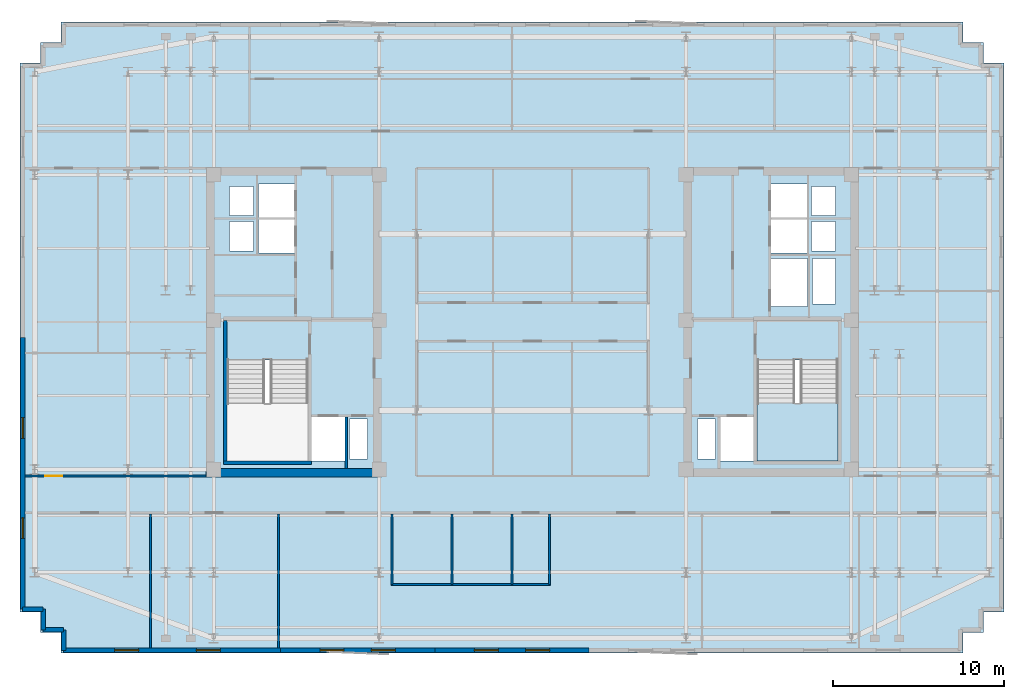
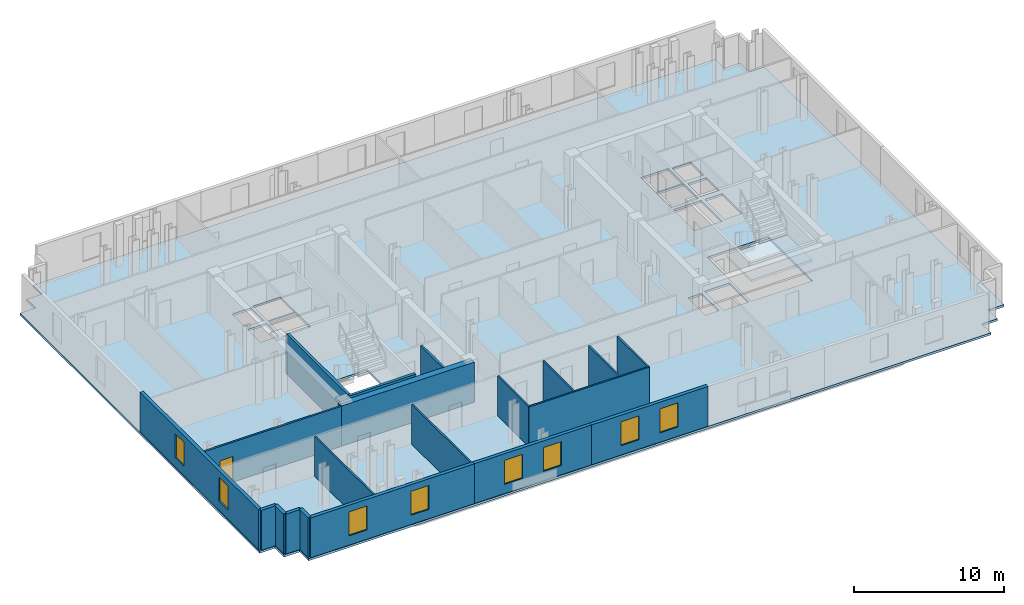
# One storey, part 3 of 9: 20 walls, 8 windows, 2 slabs, 1 door, 9 openings, 1 element without a shape of its own.
"""IFC4 building model written with IfcOpenShell, lengths in metres."""

import ifcopenshell
import ifcopenshell.guid

model = None  # the IFC model being written
_history = None  # IfcOwnerHistory: only IFC2X3 demands one
_inside = {}  # id of a spatial element -> (the spatial element, [elements in it])
_under = {}  # id of a project, library or spatial element -> (it, [spatial elements below it])
_declared = {}  # id of a project -> (the project, [libraries it declares])
_typed = {}  # id of a type object -> (the type object, [elements of that type])
_made_of = {}  # id of a material, layer set ... -> (it, [elements and type objects made of it])


def new_model(schema):
    """Start an empty IFC model of exactly this schema.

    Asked for "IFC4X3", IfcOpenShell would pick the latest addendum, in which some entities
    have other attributes; the version numbers below select the first issue.
    IFC2X3 requires an IfcOwnerHistory on every rooted entity: one is made here for all.
    """
    global model, _history
    if schema == "IFC4X3":
        model = ifcopenshell.file(schema_version=(4, 3, 0, 0))
    else:
        model = ifcopenshell.file(schema=schema)
    _inside.clear()
    _under.clear()
    _declared.clear()
    _typed.clear()
    _made_of.clear()
    _history = None
    if model.schema == "IFC2X3":
        org = make("IfcOrganization", Name="unknown")
        user = make(
            "IfcPersonAndOrganization",
            ThePerson=make("IfcPerson", FamilyName="unknown"),
            TheOrganization=org,
        )
        app = make(
            "IfcApplication",
            ApplicationDeveloper=org,
            Version="unknown",
            ApplicationFullName="unknown",
            ApplicationIdentifier="unknown",
        )
        _history = make(
            "IfcOwnerHistory",
            OwningUser=user,
            OwningApplication=app,
            ChangeAction="ADDED",
            CreationDate=0,
        )
    return model


def make(cls, **values):
    """One entity of the class cls with the attributes given. An attribute that is None is left unset."""
    return model.create_entity(
        cls, **{name: value for name, value in values.items() if value is not None}
    )


def rooted(cls, **values):
    """An entity with a GlobalId (a new one), such as an element, a storey or a relation."""
    return make(cls, GlobalId=ifcopenshell.guid.new(), OwnerHistory=_history, **values)


def si_unit(unit_type, name, prefix=None):
    """IfcSIUnit, for example si_unit("LENGTHUNIT", "METRE", prefix="MILLI")."""
    return make("IfcSIUnit", UnitType=unit_type, Prefix=prefix, Name=name)


def assignment(units):
    """IfcUnitAssignment: the units of a project."""
    return None if units is None else make("IfcUnitAssignment", Units=units)


def point(xyz):
    """IfcCartesianPoint."""
    return None if xyz is None else make("IfcCartesianPoint", Coordinates=xyz)


def direction(xyz):
    """IfcDirection."""
    return None if xyz is None else make("IfcDirection", DirectionRatios=xyz)


def frame(location, z_axis=None, x_axis=None):
    """IfcAxis2Placement3D, a coordinate frame: its origin and axes. An axis left out is left unset."""
    return make(
        "IfcAxis2Placement3D",
        Location=point(location),
        Axis=direction(z_axis),
        RefDirection=direction(x_axis),
    )


def frame_2d(location, x_axis=None):
    """IfcAxis2Placement2D, a coordinate frame in the plane: its origin and x axis."""
    return make(
        "IfcAxis2Placement2D", Location=point(location), RefDirection=direction(x_axis)
    )


def origin():
    """The frame at (0, 0, 0) with its axes left unset."""
    return frame((0.0, 0.0, 0.0))


def place(relative_to, where):
    """IfcLocalPlacement: puts the frame where relative to a parent placement (None: the world)."""
    return make(
        "IfcLocalPlacement", PlacementRelTo=relative_to, RelativePlacement=where
    )


def context(
    kind, dimensions, precision=None, world=None, true_north=None, identifier=None
):
    """IfcGeometricRepresentationContext, for example the 3D "Model" context."""
    return make(
        "IfcGeometricRepresentationContext",
        ContextIdentifier=identifier,
        ContextType=kind,
        CoordinateSpaceDimension=dimensions,
        Precision=precision,
        WorldCoordinateSystem=world,
        TrueNorth=true_north,
    )


def subcontext(parent, identifier, kind, view, scale=None):
    """IfcGeometricRepresentationSubContext, for example "Body" below "Model"."""
    return make(
        "IfcGeometricRepresentationSubContext",
        ContextIdentifier=identifier,
        ContextType=kind,
        ParentContext=parent,
        TargetScale=scale,
        TargetView=view,
    )


def project(units=None, contexts=None):
    """IfcProject with its units and contexts."""
    return rooted(
        "IfcProject",
        Name="project",
        RepresentationContexts=contexts,
        UnitsInContext=assignment(units),
    )


def spatial(cls, under=None, at=None, **own):
    """A site, building, storey or space (cls), placed at a placement, below another one or the project."""
    s = rooted(cls, ObjectPlacement=at, **own)
    if under is not None:
        _under.setdefault(under.id(), (under, []))[1].append(s)
    return s


def polyline(points):
    """IfcPolyline through the points."""
    return make("IfcPolyline", Points=[point(p) for p in points])


def profile(cls, at=None, kind="AREA", **sizes):
    """A parametric profile (cls). Its sizes go by their IFC names, for example OverallWidth=200.0."""
    return make(cls, ProfileType=kind, Position=at, **sizes)


def rectangle(**sizes):
    """IfcRectangleProfileDef."""
    return profile("IfcRectangleProfileDef", **sizes)


def outline(outer, holes=None, kind="AREA"):
    """IfcArbitraryClosedProfileDef: a profile drawn as a closed curve; with holes, ...WithVoids."""
    if holes is None:
        return make("IfcArbitraryClosedProfileDef", ProfileType=kind, OuterCurve=outer)
    return make(
        "IfcArbitraryProfileDefWithVoids",
        ProfileType=kind,
        OuterCurve=outer,
        InnerCurves=holes,
    )


def extrude(swept, where, along, depth):
    """IfcExtrudedAreaSolid: the profile swept, set in the frame where, extruded along a direction by depth."""
    return make(
        "IfcExtrudedAreaSolid",
        SweptArea=swept,
        Position=where,
        ExtrudedDirection=direction(along),
        Depth=depth,
    )


def shape(context_of_items, identifier, shape_type, items):
    """IfcShapeRepresentation: the items that make up one representation, for example the "Body"."""
    return make(
        "IfcShapeRepresentation",
        ContextOfItems=context_of_items,
        RepresentationIdentifier=identifier,
        RepresentationType=shape_type,
        Items=items,
    )


def material(Name=None, Category=None):
    """IfcMaterial."""
    return make("IfcMaterial", Name=Name, Category=Category)


def layer(
    of_material, thickness, ventilated=None, Name=None, Category=None, Priority=None
):
    """IfcMaterialLayer: one layer of a wall or slab, of a material (None: an air gap)."""
    return make(
        "IfcMaterialLayer",
        Material=of_material,
        LayerThickness=thickness,
        IsVentilated=ventilated,
        Name=Name,
        Category=Category,
        Priority=Priority,
    )


def layer_set(layers, Name=None):
    """IfcMaterialLayerSet."""
    return make("IfcMaterialLayerSet", MaterialLayers=layers, LayerSetName=Name)


def made_of(thing, what):
    """Note that an element or type object is made of a material, layer set ...; save() writes the relation."""
    if what is not None:
        _made_of.setdefault(what.id(), (what, []))[1].append(thing)
    return thing


def type_object(cls, material=None, **own):
    """A type object (cls), such as IfcWallType, which elements share."""
    return made_of(rooted(cls, **own), material)


def element(
    cls,
    number,
    at=None,
    inside=None,
    cuts=None,
    type_object=None,
    material=None,
    context=None,
    identifier="Body",
    shape_type=None,
    held_by="IfcProductDefinitionShape",
    body=None,
    shapes=None,
    **own,
):
    """One element of the class cls, such as IfcWall. Its Tag is "e" and its number.

    at: its placement. inside: the storey or other place that contains it. cuts: it is an
    opening in that element (IfcRelVoidsElement). A single representation is given by context,
    identifier, shape_type and body (its items); several are given by shapes. held_by: the class
    of the entity that holds the representations. save() writes the other relations.
    """
    e = rooted(cls, Tag="e%d" % number, ObjectPlacement=at, **own)
    if body is not None:
        shapes = [shape(context, identifier, shape_type, body)]
    if shapes is not None:
        e.Representation = make(held_by, Representations=shapes)
    if inside is not None:
        _inside.setdefault(inside.id(), (inside, []))[1].append(e)
    if cuts is not None:
        rooted(
            "IfcRelVoidsElement", RelatingBuildingElement=cuts, RelatedOpeningElement=e
        )
    if type_object is not None:
        _typed.setdefault(type_object.id(), (type_object, []))[1].append(e)
    return made_of(e, material)


def fill(opening, filler):
    """IfcRelFillsElement: the door or window that sits in an opening."""
    return rooted(
        "IfcRelFillsElement",
        RelatingOpeningElement=opening,
        RelatedBuildingElement=filler,
    )


def aggregate(whole, parts):
    """IfcRelAggregates: a whole, such as a stair, and the parts it consists of."""
    return rooted("IfcRelAggregates", RelatingObject=whole, RelatedObjects=parts)


def save(model, path):
    """Write the relations noted so far, then the file.

    IfcRelAggregates (storeys below a building ...), IfcRelContainedInSpatialStructure (elements
    in a storey), IfcRelDefinesByType, IfcRelAssociatesMaterial and IfcRelDeclares: one each for
    every whole, place, type object, material and project.
    """
    for whole, parts in _under.values():
        aggregate(whole, parts)
    for where, things in _inside.values():
        rooted(
            "IfcRelContainedInSpatialStructure",
            RelatedElements=things,
            RelatingStructure=where,
        )
    for kind, things in _typed.values():
        rooted("IfcRelDefinesByType", RelatedObjects=things, RelatingType=kind)
    for what, things in _made_of.values():
        rooted("IfcRelAssociatesMaterial", RelatedObjects=things, RelatingMaterial=what)
    for by, libraries in _declared.values():
        rooted("IfcRelDeclares", RelatingContext=by, RelatedDefinitions=libraries)
    model.write(path)


model = new_model("IFC4")

# Units and contexts
model_context = context("Model", 3, precision=1e-05, world=origin(), true_north=direction((0.0, 1.0)))
body_context = subcontext(model_context, "Body", "Model", "MODEL_VIEW")
ifc_project = project(units=[si_unit("LENGTHUNIT", "METRE"), si_unit("AREAUNIT", "SQUARE_METRE"), si_unit("VOLUMEUNIT", "CUBIC_METRE"), si_unit("PLANEANGLEUNIT", "RADIAN"), si_unit("MASSUNIT", "GRAM", prefix="KILO")], contexts=[model_context])

# Site, building, storey
site_placement = place(None, origin())
site = spatial("IfcSite", under=ifc_project, at=site_placement, CompositionType="ELEMENT")
building_placement = place(site_placement, origin())
building = spatial("IfcBuilding", under=site, at=building_placement, Name="Velakula Bourse", CompositionType="ELEMENT")
storey_placement = place(building_placement, frame((0.0, 0.0, 229.199951171875)))
storey = spatial("IfcBuildingStorey", under=building, at=storey_placement, Name="L62", CompositionType="ELEMENT", Elevation=229.199951171875)

# Stair, slab
ifc_material_1 = material(Name="Concrete M45 (fck 45 MPa)", Category="concrete")
stair_type = type_object("IfcStairType", Name="STR-DOG-390", PredefinedType="HALF_TURN_STAIR", material=ifc_material_1)
stair_placement = place(storey_placement, origin())
stair = element("IfcStair", 1, at=stair_placement, inside=storey, type_object=stair_type, Name="L62 East Core Exit Stair ST-E1", PredefinedType="HALF_TURN_STAIR")
ifc_layer_1 = layer(ifc_material_1, 0.199951171875, Name="Concrete M45 (fck 45 MPa)", Category="concrete")
ifc_layer_set_1 = layer_set([ifc_layer_1], Name="Concrete M45 (fck 45 MPa)")
slab_type_1 = type_object("IfcSlabType", Name="SLB-STAIR-LND-200", PredefinedType="LANDING", material=ifc_layer_set_1)
slab_1_placement = place(storey_placement, frame((0.0, 0.0, 1.525146484375)))
slab_1 = element("IfcSlab", 2, at=slab_1_placement, type_object=slab_type_1, Name="ST-E1 landing 1", PredefinedType="LANDING", context=body_context, shape_type="SweptSolid", body=[
    extrude(outline(polyline([(13.10009765625, -4.719970703125), (13.10009765625, -8.10009765625), (17.820068359375, -8.10009765625), (17.820068359375, -4.719970703125), (13.10009765625, -4.719970703125)])), origin(), (0.0, 0.0, 1.0), 0.199951171875),
])
aggregate(stair, [slab_1])

# Slab
ifc_material_2 = material(Name="Concrete M50 (fck 50 MPa)", Category="concrete")
ifc_layer_2 = layer(ifc_material_2, 0.179931640625, Name="Concrete M50 (fck 50 MPa)", Category="concrete")
ifc_layer_set_2 = layer_set([ifc_layer_2], Name="Concrete M50 (fck 50 MPa)")
slab_type_2 = type_object("IfcSlabType", Name="SLB-TWR-180", PredefinedType="FLOOR", material=ifc_layer_set_2)
slab_2_placement = place(storey_placement, frame((0.0, 0.0, -0.179931640625)))
element("IfcSlab", 3, at=slab_2_placement, inside=storey, type_object=slab_type_2, Name="L62 Suspended Structural Floor Slab", PredefinedType="FLOOR", context=body_context, shape_type="SweptSolid", body=[
    extrude(outline(polyline([(-27.5, -19.300048828125), (25.10009765625, -19.300048828125), (25.10009765625, -18.10009765625), (26.300048828125, -18.10009765625), (26.300048828125, -16.89990234375), (27.5, -16.89990234375), (27.5, 15.10009765625), (26.300048828125, 15.10009765625), (26.300048828125, 16.300048828125), (25.10009765625, 16.300048828125), (25.10009765625, 17.5), (-27.5, 17.5), (-27.5, 16.300048828125), (-28.699951171875, 16.300048828125), (-28.699951171875, 15.10009765625), (-29.89990234375, 15.10009765625), (-29.89990234375, -16.89990234375), (-28.699951171875, -16.89990234375), (-28.699951171875, -18.10009765625), (-27.5, -18.10009765625), (-27.5, -19.300048828125)]), holes=[polyline([(-17.820068359375, -8.10009765625), (-13.10009765625, -8.10009765625), (-13.10009765625, -2.199951171875), (-17.820068359375, -2.199951171875), (-17.820068359375, -8.10009765625)]), polyline([(13.10009765625, -8.10009765625), (17.820068359375, -8.10009765625), (17.820068359375, -2.199951171875), (13.10009765625, -2.199951171875), (13.10009765625, -8.10009765625)]), polyline([(-12.89990234375, -8.10009765625), (-10.949951171875, -8.10009765625), (-10.949951171875, -5.550048828125), (-12.89990234375, -5.550048828125), (-12.89990234375, -8.10009765625)]), polyline([(10.949951171875, -8.10009765625), (12.89990234375, -8.10009765625), (12.89990234375, -5.550048828125), (10.949951171875, -5.550048828125), (10.949951171875, -8.10009765625)]), polyline([(13.89990234375, 0.919921875), (16.050048828125, 0.919921875), (16.050048828125, 3.719970703125), (13.89990234375, 3.719970703125), (13.89990234375, 0.919921875)]), polyline([(-10.679931640625, -7.97998046875), (-9.6201171875, -7.97998046875), (-9.6201171875, -5.669921875), (-10.679931640625, -5.669921875), (-10.679931640625, -7.97998046875)]), polyline([(-17.679931640625, 4.139892578125), (-16.27001953125, 4.139892578125), (-16.27001953125, 5.85009765625), (-17.679931640625, 5.85009765625), (-17.679931640625, 4.139892578125)]), polyline([(-17.679931640625, 6.2099609375), (-16.27001953125, 6.2099609375), (-16.27001953125, 7.919921875), (-17.679931640625, 7.919921875), (-17.679931640625, 6.2099609375)]), polyline([(9.6201171875, -7.97998046875), (10.679931640625, -7.97998046875), (10.679931640625, -5.669921875), (9.6201171875, -5.669921875), (9.6201171875, -7.97998046875)]), polyline([(16.27001953125, 4.139892578125), (17.679931640625, 4.139892578125), (17.679931640625, 5.85009765625), (16.27001953125, 5.85009765625), (16.27001953125, 4.139892578125)]), polyline([(16.27001953125, 6.2099609375), (17.679931640625, 6.2099609375), (17.679931640625, 7.919921875), (16.27001953125, 7.919921875), (16.27001953125, 6.2099609375)]), polyline([(16.320068359375, 1.0400390625), (17.679931640625, 1.0400390625), (17.679931640625, 3.699951171875), (16.320068359375, 3.699951171875), (16.320068359375, 1.0400390625)]), polyline([(-16.0, 4.02001953125), (-13.89990234375, 4.02001953125), (-13.89990234375, 5.969970703125), (-16.0, 5.969970703125), (-16.0, 4.02001953125)]), polyline([(-16.0, 6.090087890625), (-13.89990234375, 6.090087890625), (-13.89990234375, 8.0400390625), (-16.0, 8.0400390625), (-16.0, 6.090087890625)]), polyline([(13.89990234375, 4.02001953125), (16.0, 4.02001953125), (16.0, 5.969970703125), (13.89990234375, 5.969970703125), (13.89990234375, 4.02001953125)]), polyline([(13.89990234375, 6.090087890625), (16.0, 6.090087890625), (16.0, 8.0400390625), (13.89990234375, 8.0400390625), (13.89990234375, 6.090087890625)])]), origin(), (0.0, 0.0, 1.0), 0.179931640625),
])

# Walls
ifc_layer_3 = layer(ifc_material_2, 0.2099609375, Name="Concrete M50 (fck 50 MPa)", Category="concrete")
ifc_layer_set_3 = layer_set([ifc_layer_3], Name="Concrete M50 (fck 50 MPa)")
wall_type_1 = type_object("IfcWallType", Name="WL-CORE-210", PredefinedType="SHEAR", material=ifc_layer_set_3)
wall_1_placement = place(storey_placement, frame((-17.925048828125, -8.10009765625, 0.0), z_axis=(0.0, 0.0, 1.0), x_axis=(0.0, 1.0, 0.0)))
element("IfcWall", 4, at=wall_1_placement, inside=storey, type_object=wall_type_1, Name="L62 Core W Stairwell Shear Wall OUT", PredefinedType="SHEAR", context=body_context, shape_type="SweptSolid", body=[
    extrude(rectangle(XDim=8.2001953125, YDim=0.2099609375, at=frame_2d((4.10009765625, 0.0))), origin(), (0.0, 0.0, 1.0), 3.27001953125),
])
wall_2_placement = place(storey_placement, frame((-18.030029296875, -8.205078125, 0.0), z_axis=(0.0, 0.0, 1.0), x_axis=(1.0, 0.0, 0.0)))
element("IfcWall", 5, at=wall_2_placement, inside=storey, type_object=wall_type_1, Name="L62 Core W Stairwell Shear Wall S", PredefinedType="SHEAR", context=body_context, shape_type="SweptSolid", body=[
    extrude(rectangle(XDim=5.14013671875, YDim=0.2099609375, at=frame_2d((2.570068359375, 0.0))), origin(), (0.0, 0.0, 1.0), 3.27001953125),
])
ifc_layer_4 = layer(ifc_material_2, 0.5, Name="Concrete M50 (fck 50 MPa)", Category="concrete")
ifc_layer_set_4 = layer_set([ifc_layer_4], Name="Concrete M50 (fck 50 MPa)")
wall_type_2 = type_object("IfcWallType", Name="WL-CORE-500", PredefinedType="SHEAR", material=ifc_layer_set_4)
wall_3_placement = place(storey_placement, frame((-19.050048828125, -8.800048828125, 0.0), z_axis=(0.0, 0.0, 1.0), x_axis=(1.0, 0.0, 0.0)))
element("IfcWall", 6, at=wall_3_placement, inside=storey, type_object=wall_type_2, Name="L62 Core W Shear Wall S", PredefinedType="SHEAR", context=body_context, shape_type="SweptSolid", body=[
    extrude(rectangle(XDim=10.25, YDim=0.5, at=frame_2d((5.125, 0.0))), origin(), (0.0, 0.0, 1.0), 3.27001953125),
])

# Wall, openings, windows
ifc_material_3 = material(Name="Buff kilned clay facing brick masonry", Category="masonry")
ifc_layer_5 = layer(ifc_material_3, 0.260009765625, Name="Buff kilned clay facing brick masonry", Category="masonry")
ifc_layer_set_5 = layer_set([ifc_layer_5], Name="Buff kilned clay facing brick masonry")
wall_type_3 = type_object("IfcWallType", Name="WL-EXT-BRK-260", PredefinedType="STANDARD", material=ifc_layer_set_5)
wall_4_placement = place(storey_placement, frame((-14.699951171875, -19.14990234375, 0.0), z_axis=(0.0, 0.0, 1.0), x_axis=(-1.0, 0.0, 0.0)))
wall_4 = element("IfcWall", 7, at=wall_4_placement, inside=storey, type_object=wall_type_3, Name="L62 S Brick Spandrel Wall B1", PredefinedType="STANDARD", context=body_context, shape_type="SweptSolid", body=[
    extrude(rectangle(XDim=12.650146484375, YDim=0.260009765625, at=frame_2d((6.3251953125, 0.0))), origin(), (0.0, 0.0, 1.0), 3.25),
])
opening_1_placement = place(wall_4_placement, frame((3.5166015625, 0.0, 0.760009765625)))
opening_1 = element("IfcOpeningElement", 8, at=opening_1_placement, cuts=wall_4, Name="Opening W-03", PredefinedType="OPENING", context=body_context, shape_type="SweptSolid", body=[
    extrude(rectangle(XDim=1.39990234375, YDim=1.949951171875, at=frame_2d((0.699951171875, 0.97509765625))), frame((0.0, 0.139892578125, 0.0), z_axis=(0.0, -1.0, 0.0), x_axis=(1.0, 0.0, 0.0)), (0.0, 0.0, 1.0), 0.280029296875),
])
opening_2_placement = place(wall_4_placement, frame((8.283203125, 0.0, 0.760009765625)))
opening_2 = element("IfcOpeningElement", 9, at=opening_2_placement, cuts=wall_4, Name="Opening W-03", PredefinedType="OPENING", context=body_context, shape_type="SweptSolid", body=[
    extrude(rectangle(XDim=1.39990234375, YDim=1.949951171875, at=frame_2d((0.699951171875, 0.97509765625))), frame((0.0, 0.139892578125, 0.0), z_axis=(0.0, -1.0, 0.0), x_axis=(1.0, 0.0, 0.0)), (0.0, 0.0, 1.0), 0.280029296875),
])
ifc_material_4 = material(Name="Double-glazed solar-control Low-E glass", Category="glass")
window_type_1 = type_object("IfcWindowType", Name="WIN-TWR-1400x2100", PartitioningType="SINGLE_PANEL", PredefinedType="WINDOW", material=ifc_material_4)
window_1_placement = place(opening_1_placement, origin())
window_1 = element("IfcWindow", 10, at=window_1_placement, inside=storey, type_object=window_type_1, Name="L62 Deep-Set Recessed Window 1", OverallHeight=1.949951171875, OverallWidth=1.39990234375, PartitioningType="SINGLE_PANEL", PredefinedType="WINDOW", context=body_context, shape_type="SweptSolid", body=[
    extrude(rectangle(XDim=1.39990234375, YDim=1.949951171875, at=frame_2d((0.699951171875, 0.97509765625))), frame((0.0, 0.030029296875, 0.0), z_axis=(0.0, -1.0, 0.0), x_axis=(1.0, 0.0, 0.0)), (0.0, 0.0, 1.0), 0.06005859375),
])
fill(opening_1, window_1)
window_2_placement = place(opening_2_placement, origin())
window_2 = element("IfcWindow", 11, at=window_2_placement, inside=storey, type_object=window_type_1, Name="L62 Deep-Set Recessed Window 2", OverallHeight=1.949951171875, OverallWidth=1.39990234375, PartitioningType="SINGLE_PANEL", PredefinedType="WINDOW", context=body_context, shape_type="SweptSolid", body=[
    extrude(rectangle(XDim=1.39990234375, YDim=1.949951171875, at=frame_2d((0.699951171875, 0.97509765625))), frame((0.0, 0.030029296875, 0.0), z_axis=(0.0, -1.0, 0.0), x_axis=(1.0, 0.0, 0.0)), (0.0, 0.0, 1.0), 0.06005859375),
])
fill(opening_2, window_2)

wall_5_placement = place(storey_placement, frame((-5.699951171875, -19.14990234375, 0.0), z_axis=(0.0, 0.0, 1.0), x_axis=(-1.0, 0.0, 0.0)))
wall_5 = element("IfcWall", 12, at=wall_5_placement, inside=storey, type_object=wall_type_3, Name="L62 S Brick Spandrel Wall B2", PredefinedType="STANDARD", context=body_context, shape_type="SweptSolid", body=[
    extrude(rectangle(XDim=9.0, YDim=0.260009765625, at=frame_2d((4.5, 0.0))), origin(), (0.0, 0.0, 1.0), 3.25),
])
opening_3_placement = place(wall_5_placement, frame((2.300048828125, 0.0, 0.760009765625)))
opening_3 = element("IfcOpeningElement", 13, at=opening_3_placement, cuts=wall_5, Name="Opening W-03", PredefinedType="OPENING", context=body_context, shape_type="SweptSolid", body=[
    extrude(rectangle(XDim=1.39990234375, YDim=1.949951171875, at=frame_2d((0.699951171875, 0.97509765625))), frame((0.0, 0.139892578125, 0.0), z_axis=(0.0, -1.0, 0.0), x_axis=(1.0, 0.0, 0.0)), (0.0, 0.0, 1.0), 0.280029296875),
])
opening_4_placement = place(wall_5_placement, frame((5.300048828125, 0.0, 0.760009765625)))
opening_4 = element("IfcOpeningElement", 14, at=opening_4_placement, cuts=wall_5, Name="Opening W-03", PredefinedType="OPENING", context=body_context, shape_type="SweptSolid", body=[
    extrude(rectangle(XDim=1.39990234375, YDim=1.949951171875, at=frame_2d((0.699951171875, 0.97509765625))), frame((0.0, 0.139892578125, 0.0), z_axis=(0.0, -1.0, 0.0), x_axis=(1.0, 0.0, 0.0)), (0.0, 0.0, 1.0), 0.280029296875),
])
window_3_placement = place(opening_3_placement, origin())
window_3 = element("IfcWindow", 15, at=window_3_placement, inside=storey, type_object=window_type_1, Name="L62 Deep-Set Recessed Window 1", OverallHeight=1.949951171875, OverallWidth=1.39990234375, PartitioningType="SINGLE_PANEL", PredefinedType="WINDOW", context=body_context, shape_type="SweptSolid", body=[
    extrude(rectangle(XDim=1.39990234375, YDim=1.949951171875, at=frame_2d((0.699951171875, 0.97509765625))), frame((0.0, 0.030029296875, 0.0), z_axis=(0.0, -1.0, 0.0), x_axis=(1.0, 0.0, 0.0)), (0.0, 0.0, 1.0), 0.06005859375),
])
fill(opening_3, window_3)
window_4_placement = place(opening_4_placement, origin())
window_4 = element("IfcWindow", 16, at=window_4_placement, inside=storey, type_object=window_type_1, Name="L62 Deep-Set Recessed Window 2", OverallHeight=1.949951171875, OverallWidth=1.39990234375, PartitioningType="SINGLE_PANEL", PredefinedType="WINDOW", context=body_context, shape_type="SweptSolid", body=[
    extrude(rectangle(XDim=1.39990234375, YDim=1.949951171875, at=frame_2d((0.699951171875, 0.97509765625))), frame((0.0, 0.030029296875, 0.0), z_axis=(0.0, -1.0, 0.0), x_axis=(1.0, 0.0, 0.0)), (0.0, 0.0, 1.0), 0.06005859375),
])
fill(opening_4, window_4)

wall_6_placement = place(storey_placement, frame((3.300048828125, -19.14990234375, 0.0), z_axis=(0.0, 0.0, 1.0), x_axis=(-1.0, 0.0, 0.0)))
wall_6 = element("IfcWall", 17, at=wall_6_placement, inside=storey, type_object=wall_type_3, Name="L62 S Brick Spandrel Wall B3", PredefinedType="STANDARD", context=body_context, shape_type="SweptSolid", body=[
    extrude(rectangle(XDim=9.0, YDim=0.260009765625, at=frame_2d((4.5, 0.0))), origin(), (0.0, 0.0, 1.0), 3.25),
])
opening_5_placement = place(wall_6_placement, frame((2.300048828125, 0.0, 0.760009765625)))
opening_5 = element("IfcOpeningElement", 18, at=opening_5_placement, cuts=wall_6, Name="Opening W-03", PredefinedType="OPENING", context=body_context, shape_type="SweptSolid", body=[
    extrude(rectangle(XDim=1.39990234375, YDim=1.949951171875, at=frame_2d((0.699951171875, 0.97509765625))), frame((0.0, 0.139892578125, 0.0), z_axis=(0.0, -1.0, 0.0), x_axis=(1.0, 0.0, 0.0)), (0.0, 0.0, 1.0), 0.280029296875),
])
opening_6_placement = place(wall_6_placement, frame((5.300048828125, 0.0, 0.760009765625)))
opening_6 = element("IfcOpeningElement", 19, at=opening_6_placement, cuts=wall_6, Name="Opening W-03", PredefinedType="OPENING", context=body_context, shape_type="SweptSolid", body=[
    extrude(rectangle(XDim=1.39990234375, YDim=1.949951171875, at=frame_2d((0.699951171875, 0.97509765625))), frame((0.0, 0.139892578125, 0.0), z_axis=(0.0, -1.0, 0.0), x_axis=(1.0, 0.0, 0.0)), (0.0, 0.0, 1.0), 0.280029296875),
])
window_5_placement = place(opening_5_placement, origin())
window_5 = element("IfcWindow", 20, at=window_5_placement, inside=storey, type_object=window_type_1, Name="L62 Deep-Set Recessed Window 1", OverallHeight=1.949951171875, OverallWidth=1.39990234375, PartitioningType="SINGLE_PANEL", PredefinedType="WINDOW", context=body_context, shape_type="SweptSolid", body=[
    extrude(rectangle(XDim=1.39990234375, YDim=1.949951171875, at=frame_2d((0.699951171875, 0.97509765625))), frame((0.0, 0.030029296875, 0.0), z_axis=(0.0, -1.0, 0.0), x_axis=(1.0, 0.0, 0.0)), (0.0, 0.0, 1.0), 0.06005859375),
])
fill(opening_5, window_5)
window_6_placement = place(opening_6_placement, origin())
window_6 = element("IfcWindow", 21, at=window_6_placement, inside=storey, type_object=window_type_1, Name="L62 Deep-Set Recessed Window 2", OverallHeight=1.949951171875, OverallWidth=1.39990234375, PartitioningType="SINGLE_PANEL", PredefinedType="WINDOW", context=body_context, shape_type="SweptSolid", body=[
    extrude(rectangle(XDim=1.39990234375, YDim=1.949951171875, at=frame_2d((0.699951171875, 0.97509765625))), frame((0.0, 0.030029296875, 0.0), z_axis=(0.0, -1.0, 0.0), x_axis=(1.0, 0.0, 0.0)), (0.0, 0.0, 1.0), 0.06005859375),
])
fill(opening_6, window_6)

wall_7_placement = place(storey_placement, frame((-29.75, -16.75, 0.0), z_axis=(0.0, 0.0, 1.0), x_axis=(0.0, 1.0, 0.0)))
wall_7 = element("IfcWall", 22, at=wall_7_placement, inside=storey, type_object=wall_type_3, Name="L62 W Brick End Wall W1", PredefinedType="STANDARD", context=body_context, shape_type="SweptSolid", body=[
    extrude(rectangle(XDim=15.85009765625, YDim=0.260009765625, at=frame_2d((7.925048828125, 0.0))), origin(), (0.0, 0.0, 1.0), 3.25),
])
opening_7_placement = place(wall_7_placement, frame((4.13330078125, 0.0, 0.760009765625)))
opening_7 = element("IfcOpeningElement", 23, at=opening_7_placement, cuts=wall_7, Name="Opening W-04", PredefinedType="OPENING", context=body_context, shape_type="SweptSolid", body=[
    extrude(rectangle(XDim=1.199951171875, YDim=1.949951171875, at=frame_2d((0.60009765625, 0.97509765625))), frame((0.0, 0.139892578125, 0.0), z_axis=(0.0, -1.0, 0.0), x_axis=(1.0, 0.0, 0.0)), (0.0, 0.0, 1.0), 0.280029296875),
])
opening_8_placement = place(wall_7_placement, frame((9.966796875, 0.0, 0.760009765625)))
opening_8 = element("IfcOpeningElement", 24, at=opening_8_placement, cuts=wall_7, Name="Opening W-04", PredefinedType="OPENING", context=body_context, shape_type="SweptSolid", body=[
    extrude(rectangle(XDim=1.199951171875, YDim=1.949951171875, at=frame_2d((0.60009765625, 0.97509765625))), frame((0.0, 0.139892578125, 0.0), z_axis=(0.0, -1.0, 0.0), x_axis=(1.0, 0.0, 0.0)), (0.0, 0.0, 1.0), 0.280029296875),
])
window_type_2 = type_object("IfcWindowType", Name="WIN-TWR-1200x2100", PartitioningType="SINGLE_PANEL", PredefinedType="WINDOW", material=ifc_material_4)
window_7_placement = place(opening_7_placement, origin())
window_7 = element("IfcWindow", 25, at=window_7_placement, inside=storey, type_object=window_type_2, Name="L62 Deep-Set Recessed Window 1", OverallHeight=1.949951171875, OverallWidth=1.199951171875, PartitioningType="SINGLE_PANEL", PredefinedType="WINDOW", context=body_context, shape_type="SweptSolid", body=[
    extrude(rectangle(XDim=1.199951171875, YDim=1.949951171875, at=frame_2d((0.60009765625, 0.97509765625))), frame((0.0, 0.030029296875, 0.0), z_axis=(0.0, -1.0, 0.0), x_axis=(1.0, 0.0, 0.0)), (0.0, 0.0, 1.0), 0.06005859375),
])
fill(opening_7, window_7)
window_8_placement = place(opening_8_placement, origin())
window_8 = element("IfcWindow", 26, at=window_8_placement, inside=storey, type_object=window_type_2, Name="L62 Deep-Set Recessed Window 2", OverallHeight=1.949951171875, OverallWidth=1.199951171875, PartitioningType="SINGLE_PANEL", PredefinedType="WINDOW", context=body_context, shape_type="SweptSolid", body=[
    extrude(rectangle(XDim=1.199951171875, YDim=1.949951171875, at=frame_2d((0.60009765625, 0.97509765625))), frame((0.0, 0.030029296875, 0.0), z_axis=(0.0, -1.0, 0.0), x_axis=(1.0, 0.0, 0.0)), (0.0, 0.0, 1.0), 0.06005859375),
])
fill(opening_8, window_8)

# Walls
for number, where, z_axis, x_axis, name in (
    (27, (-29.75, -16.75, 0.0), (0.0, 0.0, 1.0), (1.0, 0.0, 0.0), "L62 Serrated Corner Brick Wall SW-1"),
    (28, (-28.550048828125, -16.75, 0.0), (0.0, 0.0, 1.0), (0.0, -1.0, 0.0), "L62 Serrated Corner Brick Wall SW-2"),
    (29, (-28.550048828125, -17.949951171875, 0.0), (0.0, 0.0, 1.0), (1.0, 0.0, 0.0), "L62 Serrated Corner Brick Wall SW-3"),
    (30, (-27.35009765625, -17.949951171875, 0.0), (0.0, 0.0, 1.0), (0.0, -1.0, 0.0), "L62 Serrated Corner Brick Wall SW-4"),
):
    element("IfcWall", number, at=place(storey_placement, frame(where, z_axis=z_axis, x_axis=x_axis)), inside=storey, type_object=wall_type_3, Name=name, PredefinedType="STANDARD", context=body_context, shape_type="SweptSolid", body=[
        extrude(rectangle(XDim=1.199951171875, YDim=0.260009765625, at=frame_2d((0.60009765625, 0.0))), origin(), (0.0, 0.0, 1.0), 3.25),
    ])
ifc_material_5 = material(Name="Fire-rated double-layer gypsum drywall partition", Category="gypsum")
ifc_layer_6 = layer(ifc_material_5, 0.1201171875, Name="Fire-rated double-layer gypsum drywall partition", Category="gypsum")
ifc_layer_set_6 = layer_set([ifc_layer_6], Name="Fire-rated double-layer gypsum drywall partition")
wall_type_4 = type_object("IfcWallType", Name="WL-PART-120", PredefinedType="STANDARD", material=ifc_layer_set_6)
wall_8_placement = place(storey_placement, frame((-8.260009765625, -15.320068359375, 0.0), z_axis=(0.0, 0.0, 1.0), x_axis=(1.0, 0.0, 0.0)))
element("IfcWall", 31, at=wall_8_placement, inside=storey, type_object=wall_type_4, Name="L62 Interior Partition WL-WC-L62-BACK", PredefinedType="STANDARD", context=body_context, shape_type="SweptSolid", body=[
    extrude(rectangle(XDim=9.320068359375, YDim=0.1201171875, at=frame_2d((4.66015625, 0.0))), origin(), (0.0, 0.0, 1.0), 3.25),
])
for number, where, z_axis, x_axis, name in (
    (32, (-8.199951171875, -15.320068359375, 0.0), (0.0, 0.0, 1.0), (0.0, 1.0, 0.0), "L62 Interior Partition WL-WC-L62-V1"),
    (33, (-4.699951171875, -15.320068359375, 0.0), (0.0, 0.0, 1.0), (0.0, 1.0, 0.0), "L62 Interior Partition WL-WC-L62-V2"),
    (34, (-1.199951171875, -15.320068359375, 0.0), (0.0, 0.0, 1.0), (0.0, 1.0, 0.0), "L62 Interior Partition WL-WC-L62-V3"),
    (35, (1.0, -15.320068359375, 0.0), (0.0, 0.0, 1.0), (0.0, 1.0, 0.0), "L62 Interior Partition WL-WC-L62-V4"),
):
    element("IfcWall", number, at=place(storey_placement, frame(where, z_axis=z_axis, x_axis=x_axis)), inside=storey, type_object=wall_type_4, Name=name, PredefinedType="STANDARD", context=body_context, shape_type="SweptSolid", body=[
        extrude(rectangle(XDim=4.130126953125, YDim=0.1201171875, at=frame_2d((2.06494140625, 0.0))), origin(), (0.0, 0.0, 1.0), 3.25),
    ])
for number, where, z_axis, x_axis, name in (
    (36, (-22.298095703125, -19.02001953125, 0.0), (0.0, 0.0, 1.0), (0.0, 1.0, 0.0), "L62 Interior Partition WL-INT-L62-SL-D5"),
    (37, (-14.822021484375, -19.02001953125, 0.0), (0.0, 0.0, 1.0), (0.0, 1.0, 0.0), "L62 Interior Partition WL-INT-L62-SL-D6"),
):
    element("IfcWall", number, at=place(storey_placement, frame(where, z_axis=z_axis, x_axis=x_axis)), inside=storey, type_object=wall_type_4, Name=name, PredefinedType="STANDARD", context=body_context, shape_type="SweptSolid", body=[
        extrude(rectangle(XDim=7.830078125, YDim=0.1201171875, at=frame_2d((3.9150390625, 0.0))), origin(), (0.0, 0.0, 1.0), 3.25),
    ])

# Wall, opening, door
ifc_layer_7 = layer(ifc_material_5, 0.139892578125, Name="Fire-rated double-layer gypsum drywall partition", Category="gypsum")
ifc_layer_set_7 = layer_set([ifc_layer_7], Name="Fire-rated double-layer gypsum drywall partition")
wall_type_5 = type_object("IfcWallType", Name="WL-PART-140", PredefinedType="STANDARD", material=ifc_layer_set_7)
wall_9_placement = place(storey_placement, frame((-29.6201171875, -8.97998046875, 0.0), z_axis=(0.0, 0.0, 1.0), x_axis=(1.0, 0.0, 0.0)))
wall_9 = element("IfcWall", 38, at=wall_9_placement, inside=storey, type_object=wall_type_5, Name="L62 Interior Partition WL-INT-L62-W-SC", PredefinedType="STANDARD", context=body_context, shape_type="SweptSolid", body=[
    extrude(rectangle(XDim=10.570068359375, YDim=0.139892578125, at=frame_2d((5.28515625, 0.0))), origin(), (0.0, 0.0, 1.0), 3.25),
])
opening_9_placement = place(wall_9_placement, frame((1.191162109375, 0.0, 0.0)))
opening_9 = element("IfcOpeningElement", 39, at=opening_9_placement, cuts=wall_9, Name="Opening D-OF1", PredefinedType="OPENING", context=body_context, shape_type="SweptSolid", body=[
    extrude(rectangle(XDim=1.0, YDim=2.080078125, at=frame_2d((0.5, 1.0400390625))), frame((0.0, 0.079833984375, 0.0), z_axis=(0.0, -1.0, 0.0), x_axis=(1.0, 0.0, 0.0)), (0.0, 0.0, 1.0), 0.159912109375),
])
ifc_material_6 = material(Name="Fire-rated hardwood flush architectural door", Category="wood")
door_type = type_object("IfcDoorType", Name="DR-OFF-1000", OperationType="NOTDEFINED", PredefinedType="DOOR", material=ifc_material_6)
door_placement = place(opening_9_placement, origin())
door = element("IfcDoor", 40, at=door_placement, inside=storey, type_object=door_type, Name="L62 Legal Counsel Office Door", OperationType="SINGLE_SWING_RIGHT", OverallHeight=2.080078125, OverallWidth=1.0, PredefinedType="DOOR", context=body_context, shape_type="SweptSolid", body=[
    extrude(rectangle(XDim=1.0, YDim=2.080078125, at=frame_2d((0.5, 1.0400390625))), frame((0.0, 0.02490234375, 0.0), z_axis=(0.0, -1.0, 0.0), x_axis=(1.0, 0.0, 0.0)), (0.0, 0.0, 1.0), 0.050048828125),
])
fill(opening_9, door)

# Wall
ifc_material_7 = material(Name="Autoclaved aerated concrete blockwork masonry", Category="masonry")
ifc_layer_8 = layer(ifc_material_7, 0.14990234375, Name="Autoclaved aerated concrete blockwork masonry", Category="masonry")
ifc_layer_set_8 = layer_set([ifc_layer_8], Name="Autoclaved aerated concrete blockwork masonry")
wall_type_6 = type_object("IfcWallType", Name="WL-SHAFT-150", PredefinedType="STANDARD", material=ifc_layer_set_8)
wall_10_placement = place(storey_placement, frame((-10.875, -8.550048828125, 0.0), z_axis=(0.0, 0.0, 1.0), x_axis=(0.0, 1.0, 0.0)))
element("IfcWall", 41, at=wall_10_placement, inside=storey, type_object=wall_type_6, Name="L62 Interior Partition WL-CRW-L62-FR-DIV", PredefinedType="STANDARD", context=body_context, shape_type="SweptSolid", body=[
    extrude(rectangle(XDim=3.0, YDim=0.14990234375, at=frame_2d((1.5, 0.0))), origin(), (0.0, 0.0, 1.0), 3.25),
])

save(model, "model.ifc")
